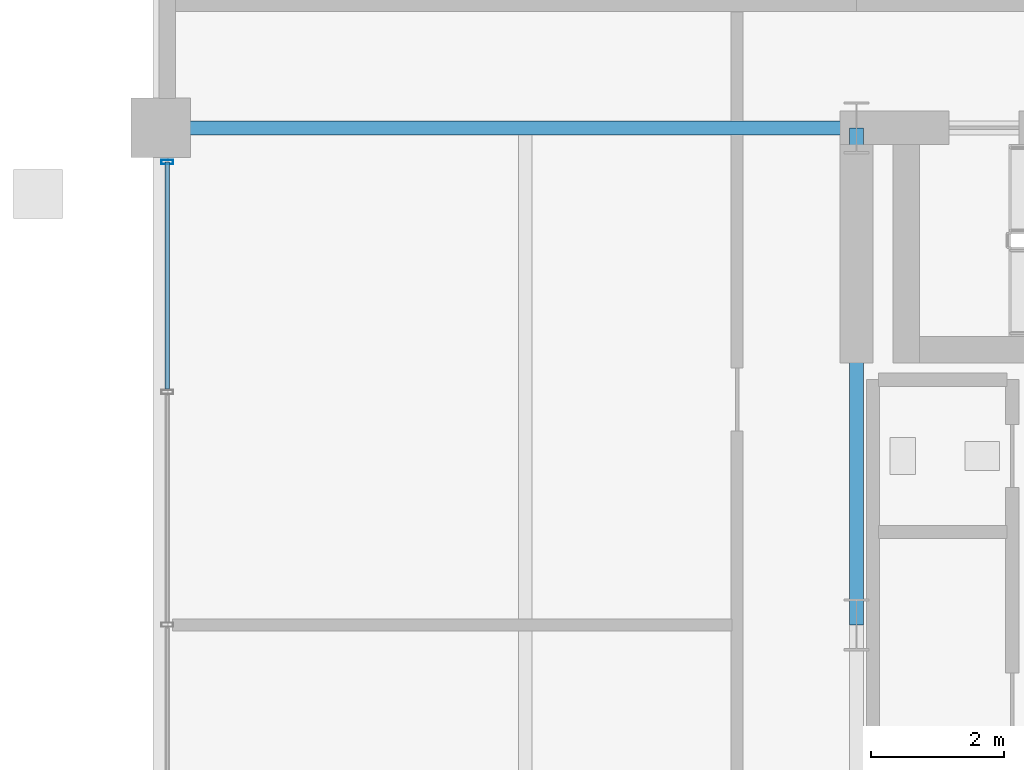
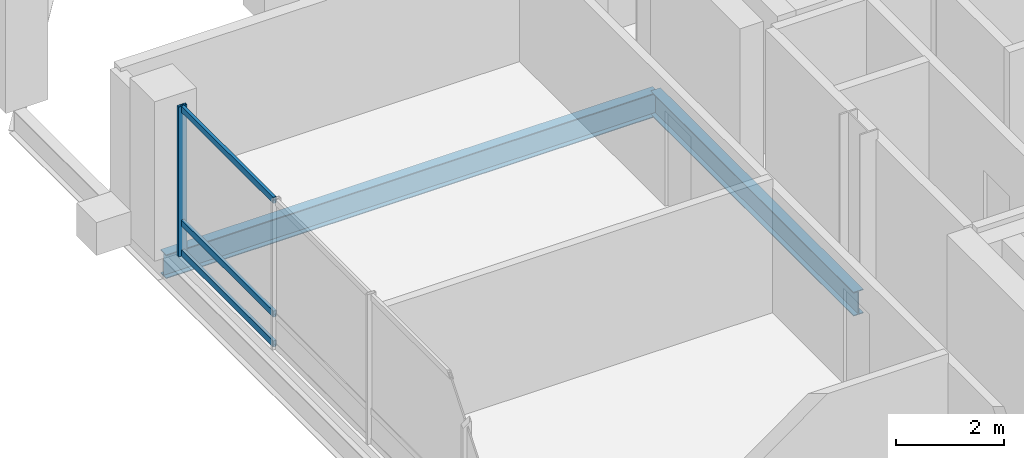
# One storey, part 8 of 16: 4 members, 2 beams, 1 element without a shape of its own.
"""IFC4 building model written with IfcOpenShell, lengths in metres."""

from ifc_helpers import new_model, si_unit, direction, frame, origin, origin_2d, place, context, subcontext, project, spatial, hollow_rectangle, i_section, extrude, material, layer, layer_set, material_profile, profile_set, type_object, element, aggregate, save


model = new_model("IFC4")

# Units and contexts
model_context = context("Model", 3, precision=1e-05, world=origin(), true_north=direction((0.0, 1.0)))
body_context = subcontext(model_context, "Body", "Model", "MODEL_VIEW")
ifc_project = project(units=[si_unit("LENGTHUNIT", "METRE"), si_unit("AREAUNIT", "SQUARE_METRE"), si_unit("VOLUMEUNIT", "CUBIC_METRE"), si_unit("PLANEANGLEUNIT", "RADIAN"), si_unit("MASSUNIT", "GRAM", prefix="KILO")], contexts=[model_context])

# Site, building, storey
site_placement = place(None, origin())
site = spatial("IfcSite", under=ifc_project, at=site_placement, CompositionType="ELEMENT")
building_placement = place(site_placement, origin())
building = spatial("IfcBuilding", under=site, at=building_placement, Name="Barlavira Tower and Art Museum", CompositionType="ELEMENT")
storey_placement = place(building_placement, frame((0.0, 0.0, 265.5)))
storey = spatial("IfcBuildingStorey", under=building, at=storey_placement, Name="L69", CompositionType="ELEMENT", Elevation=265.5)

# Curtain wall, members
ifc_material_1 = material(Name="Low-iron coastal laminated glass", Category="glass")
ifc_layer = layer(ifc_material_1, 0.2099609375, Name="Low-iron coastal laminated glass")
ifc_layer_set = layer_set([ifc_layer], Name="Low-iron coastal laminated glass")
curtain_wall_type = type_object("IfcCurtainWallType", Name="Pale-Metal Unitised Curtain Wall Zone 4", PredefinedType="NOTDEFINED", material=ifc_layer_set)
curtain_wall_placement = place(storey_placement, origin())
curtain_wall = element("IfcCurtainWall", 1, at=curtain_wall_placement, inside=storey, type_object=curtain_wall_type, Name="L69 Curtain Wall CW4-L69-W-B2", PredefinedType="NOTDEFINED")
ifc_material_2 = material(Name="Pale anodised aluminium", Category="aluminium")
ifc_material_profile_1 = material_profile(ifc_material_2, hollow_rectangle(XDim=0.06494140625, YDim=0.179931640625, WallThickness=0.00390625, at=origin_2d()), Name="ALU-MULL 65x180x4")
ifc_profile_set_1 = profile_set([ifc_material_profile_1], Name="Pale anodised aluminium")
member_type_1 = type_object("IfcMemberType", Name="Curtain Wall Pale-Metal Mullion 65x180", PredefinedType="MULLION", material=ifc_profile_set_1)
member_1_placement = place(storey_placement, frame((-16.89990234375, 6.985107421875, 0.0), z_axis=(0.0, 0.0, 1.0), x_axis=(0.0, -1.0, 0.0)))
member_1 = element("IfcMember", 2, at=member_1_placement, type_object=member_type_1, Name="CW4-L69-W-B2 Mullion 0", PredefinedType="MULLION", context=body_context, shape_type="SweptSolid", body=[
    extrude(hollow_rectangle(XDim=0.06494140625, YDim=0.179931640625, WallThickness=0.00390625, at=origin_2d()), origin(), (0.0, 0.0, 1.0), 3.3798828125),
])
ifc_material_profile_2 = material_profile(ifc_material_2, hollow_rectangle(XDim=0.06494140625, YDim=0.139892578125, WallThickness=0.00390625, at=origin_2d()), Name="ALU-TRAN 65x140x4")
ifc_profile_set_2 = profile_set([ifc_material_profile_2], Name="Pale anodised aluminium")
member_type_2 = type_object("IfcMemberType", Name="Curtain Wall Pale-Metal Transom 65x140", PredefinedType="USERDEFINED", material=ifc_profile_set_2)
member_2_placement = place(storey_placement, frame((-16.89990234375, 6.985107421875, 0.070068359375), z_axis=(0.0, -1.0, 0.0), x_axis=(1.0, 0.0, 0.0)))
member_2 = element("IfcMember", 3, at=member_2_placement, type_object=member_type_2, Name="CW4-L69-W-B2 Transom 0.1", ObjectType="TRANSOM", PredefinedType="USERDEFINED", context=body_context, shape_type="SweptSolid", body=[
    extrude(hollow_rectangle(XDim=0.06494140625, YDim=0.139892578125, WallThickness=0.00390625, at=origin_2d()), origin(), (0.0, 0.0, 1.0), 3.425048828125),
])
member_3_placement = place(storey_placement, frame((-16.89990234375, 6.985107421875, 0.743896484375), z_axis=(0.0, -1.0, 0.0), x_axis=(1.0, 0.0, 0.0)))
member_3 = element("IfcMember", 4, at=member_3_placement, type_object=member_type_2, Name="CW4-L69-W-B2 Transom 0.2", ObjectType="TRANSOM", PredefinedType="USERDEFINED", context=body_context, shape_type="SweptSolid", body=[
    extrude(hollow_rectangle(XDim=0.06494140625, YDim=0.139892578125, WallThickness=0.00390625, at=origin_2d()), origin(), (0.0, 0.0, 1.0), 3.425048828125),
])
member_4_placement = place(storey_placement, frame((-16.89990234375, 6.985107421875, 3.31005859375), z_axis=(0.0, -1.0, 0.0), x_axis=(1.0, 0.0, 0.0)))
member_4 = element("IfcMember", 5, at=member_4_placement, type_object=member_type_2, Name="CW4-L69-W-B2 Transom 0.3", ObjectType="TRANSOM", PredefinedType="USERDEFINED", context=body_context, shape_type="SweptSolid", body=[
    extrude(hollow_rectangle(XDim=0.06494140625, YDim=0.139892578125, WallThickness=0.00390625, at=origin_2d()), origin(), (0.0, 0.0, 1.0), 3.425048828125),
])
aggregate(curtain_wall, [member_1, member_2, member_3, member_4])

# Beams
ifc_material_3 = material(Name="Steel S355", Category="steel")
ifc_material_profile_3 = material_profile(ifc_material_3, i_section(OverallWidth=0.2109375, OverallDepth=0.5390625, WebThickness=0.01171875, FlangeThickness=0.018798828125, at=origin_2d()), Name="W530x109.0")
ifc_profile_set_3 = profile_set([ifc_material_profile_3], Name="Steel S355")
beam_type = type_object("IfcBeamType", Name="Zone 3-4 Primary Floor Girder W530x109 Steel S355", PredefinedType="BEAM", material=ifc_profile_set_3)
beam_1_placement = place(storey_placement, frame((-6.5, 0.0, -0.489501953125), z_axis=(0.0, 1.0, 0.0), x_axis=(-1.0, 0.0, 0.0)))
element("IfcBeam", 6, at=beam_1_placement, inside=storey, type_object=beam_type, Name="L69 Girder C-W2", PredefinedType="BEAM", context=body_context, shape_type="SweptSolid", body=[
    extrude(i_section(OverallWidth=0.2109375, OverallDepth=0.5390625, WebThickness=0.01171875, FlangeThickness=0.018798828125, at=origin_2d()), origin(), (0.0, 0.0, 1.0), 7.5),
])
beam_2_placement = place(storey_placement, frame((-17.0, 7.5, -0.489501953125), z_axis=(1.0, 0.0, 0.0), x_axis=(0.0, 1.0, 0.0)))
element("IfcBeam", 7, at=beam_2_placement, inside=storey, type_object=beam_type, Name="L69 Girder R-W2", PredefinedType="BEAM", context=body_context, shape_type="SweptSolid", body=[
    extrude(i_section(OverallWidth=0.2109375, OverallDepth=0.5390625, WebThickness=0.01171875, FlangeThickness=0.018798828125, at=origin_2d()), origin(), (0.0, 0.0, 1.0), 10.5),
])

save(model, "model.ifc")
